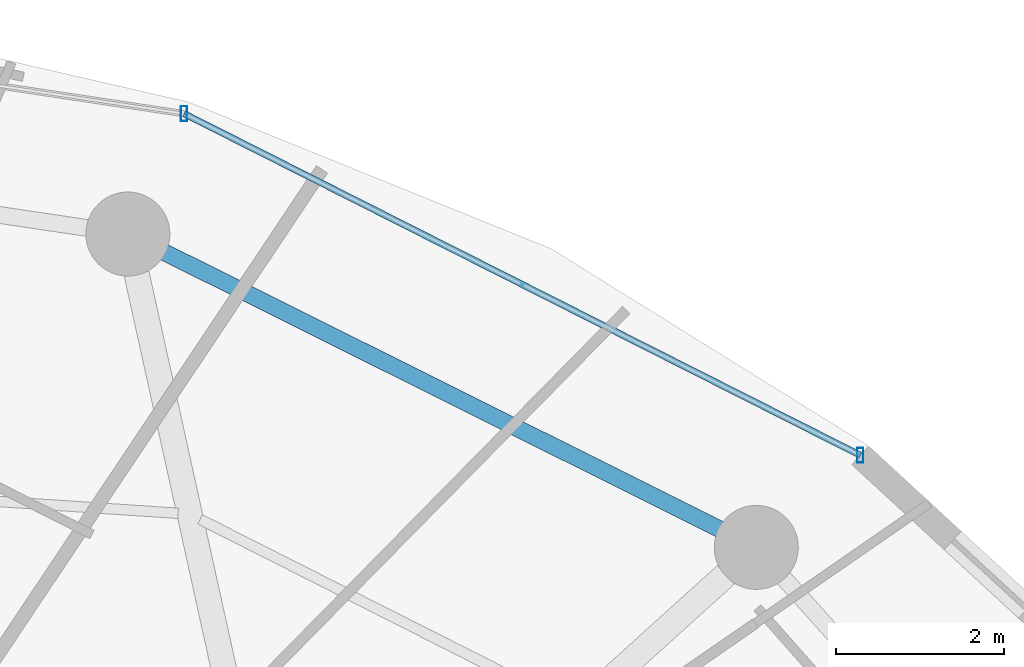
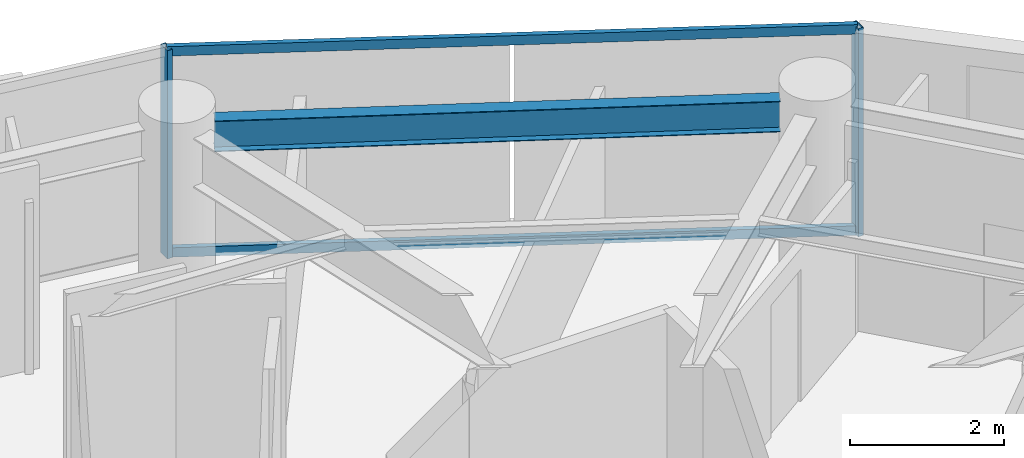
# One storey, part 19 of 30: 4 members, 1 beam, 1 element without a shape of its own.
"""IFC4 building model written with IfcOpenShell, lengths in metres."""

from ifc_helpers import new_model, si_unit, direction, frame, origin, origin_2d, place, context, subcontext, project, spatial, hollow_rectangle, i_section, extrude, material, material_profile, profile_set, type_object, element, aggregate, save


model = new_model("IFC4")

# Units and contexts
model_context = context("Model", 3, precision=1e-05, world=origin(), true_north=direction((0.0, 1.0)))
body_context = subcontext(model_context, "Body", "Model", "MODEL_VIEW")
ifc_project = project(units=[si_unit("LENGTHUNIT", "METRE"), si_unit("AREAUNIT", "SQUARE_METRE"), si_unit("VOLUMEUNIT", "CUBIC_METRE"), si_unit("PLANEANGLEUNIT", "RADIAN"), si_unit("MASSUNIT", "GRAM", prefix="KILO")], contexts=[model_context])

# Site, building, storey
site_placement = place(None, origin())
site = spatial("IfcSite", under=ifc_project, at=site_placement, CompositionType="ELEMENT")
building_placement = place(site_placement, origin())
building = spatial("IfcBuilding", under=site, at=building_placement, Name="Vorneva Point Tower", CompositionType="ELEMENT")
storey_placement = place(building_placement, frame((0.0, 0.0, 153.60009765625)))
storey = spatial("IfcBuildingStorey", under=building, at=storey_placement, Name="L41", CompositionType="ELEMENT", Elevation=153.60009765625)

# Beam
ifc_material_1 = material(Name="Steel S355", Category="steel")
ifc_material_profile_1 = material_profile(ifc_material_1, i_section(OverallWidth=0.199951171875, OverallDepth=0.491943359375, WebThickness=0.0087890625, FlangeThickness=0.011962890625, at=origin_2d()), Name="50B1")
ifc_profile_set_1 = profile_set([ifc_material_profile_1], Name="Steel S355")
beam_type = type_object("IfcBeamType", Name="BM-SPN-50B1", PredefinedType="SPANDREL", material=ifc_profile_set_1)
beam_placement = place(storey_placement, frame((53.86474609375, 38.378662109375, 2.993896484375), z_axis=(-0.894929061397, 0.446208443518, 0.0), x_axis=(-0.446208443518, -0.894929061397, 0.0)))
element("IfcBeam", 1, at=beam_placement, inside=storey, type_object=beam_type, Name="L41 Perimeter Spandrel Ring Beam 03", PredefinedType="SPANDREL", context=body_context, shape_type="SweptSolid", body=[
    extrude(i_section(OverallWidth=0.199951171875, OverallDepth=0.491943359375, WebThickness=0.0087890625, FlangeThickness=0.011962890625, at=origin_2d()), origin(), (0.0, 0.0, 1.0), 7.385986328125),
])

# Curtain wall, members
ifc_material_2 = material(Name="Pale anodised aluminium", Category="aluminium")
curtain_wall_type = type_object("IfcCurtainWallType", Name="CW-RES-SYS", PredefinedType="NOTDEFINED", material=ifc_material_2)
curtain_wall_placement = place(storey_placement, origin())
curtain_wall = element("IfcCurtainWall", 2, at=curtain_wall_placement, inside=storey, type_object=curtain_wall_type, Name="L41 Unitised Curtain Wall CW-L41-R02", PredefinedType="NOTDEFINED")
ifc_material_profile_2 = material_profile(ifc_material_2, hollow_rectangle(XDim=0.074951171875, YDim=0.179931640625, WallThickness=0.00390625, at=origin_2d()), Name="AL-MUL 180x75x4")
ifc_profile_set_2 = profile_set([ifc_material_profile_2], Name="Pale anodised aluminium")
member_type_1 = type_object("IfcMemberType", Name="CW-MUL-180", PredefinedType="MULLION", material=ifc_profile_set_2)
member_1_placement = place(storey_placement, frame((55.5361328125, 39.25830078125, -0.0400390625), z_axis=(0.0, 0.0, 1.0), x_axis=(1.0, 0.0, 0.0)))
member_1 = element("IfcMember", 3, at=member_1_placement, type_object=member_type_1, Name="CW-L41-R02 Mullion 01", PredefinedType="MULLION", context=body_context, shape_type="SweptSolid", body=[
    extrude(hollow_rectangle(XDim=0.074951171875, YDim=0.179931640625, WallThickness=0.00390625, at=origin_2d()), origin(), (0.0, 0.0, 1.0), 3.31005859375),
])
member_2_placement = place(storey_placement, frame((47.490478515625, 43.32275390625, -0.0400390625), z_axis=(0.0, 0.0, 1.0), x_axis=(1.0, 0.0, 0.0)))
member_2 = element("IfcMember", 4, at=member_2_placement, type_object=member_type_1, Name="CW-L41-R02 Mullion 02", PredefinedType="MULLION", context=body_context, shape_type="SweptSolid", body=[
    extrude(hollow_rectangle(XDim=0.074951171875, YDim=0.179931640625, WallThickness=0.00390625, at=origin_2d()), origin(), (0.0, 0.0, 1.0), 3.31005859375),
])
ifc_material_profile_3 = material_profile(ifc_material_2, hollow_rectangle(XDim=0.074951171875, YDim=0.14990234375, WallThickness=0.00390625, at=origin_2d()), Name="AL-TRN 150x75x4")
ifc_profile_set_3 = profile_set([ifc_material_profile_3], Name="Pale anodised aluminium")
member_type_2 = type_object("IfcMemberType", Name="CW-TRN-150", PredefinedType="USERDEFINED", material=ifc_profile_set_3)
member_3_placement = place(storey_placement, frame((55.5361328125, 39.25830078125, 0.02001953125), z_axis=(-0.892572392955, 0.450904117673, 0.0), x_axis=(-0.450904117673, -0.892572392955, 0.0)))
member_3 = element("IfcMember", 5, at=member_3_placement, type_object=member_type_2, Name="CW-L41-R02 Transom 01.1", ObjectType="TRANSOM", PredefinedType="USERDEFINED", context=body_context, shape_type="SweptSolid", body=[
    extrude(hollow_rectangle(XDim=0.074951171875, YDim=0.14990234375, WallThickness=0.00390625, at=origin_2d()), origin(), (0.0, 0.0, 1.0), 9.013916015625),
])
member_4_placement = place(storey_placement, frame((55.5361328125, 39.25830078125, 3.219970703125), z_axis=(-0.892572392955, 0.450904117673, 0.0), x_axis=(-0.450904117673, -0.892572392955, 0.0)))
member_4 = element("IfcMember", 6, at=member_4_placement, type_object=member_type_2, Name="CW-L41-R02 Transom 01.2", ObjectType="TRANSOM", PredefinedType="USERDEFINED", context=body_context, shape_type="SweptSolid", body=[
    extrude(hollow_rectangle(XDim=0.074951171875, YDim=0.14990234375, WallThickness=0.00390625, at=origin_2d()), origin(), (0.0, 0.0, 1.0), 9.013916015625),
])
aggregate(curtain_wall, [member_1, member_2, member_3, member_4])

save(model, "model.ifc")
